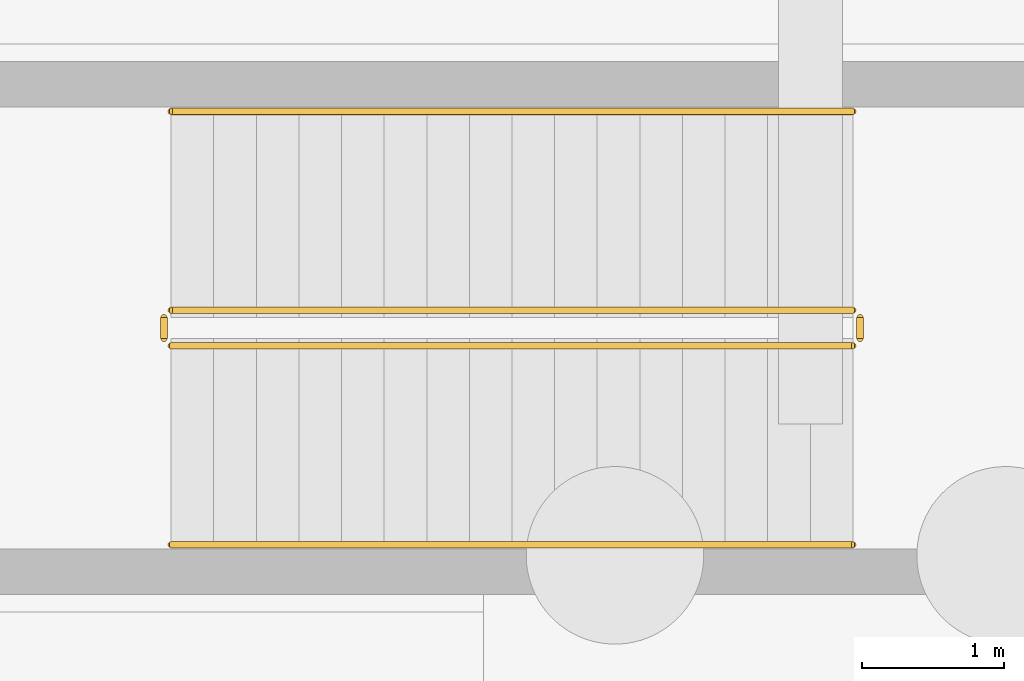
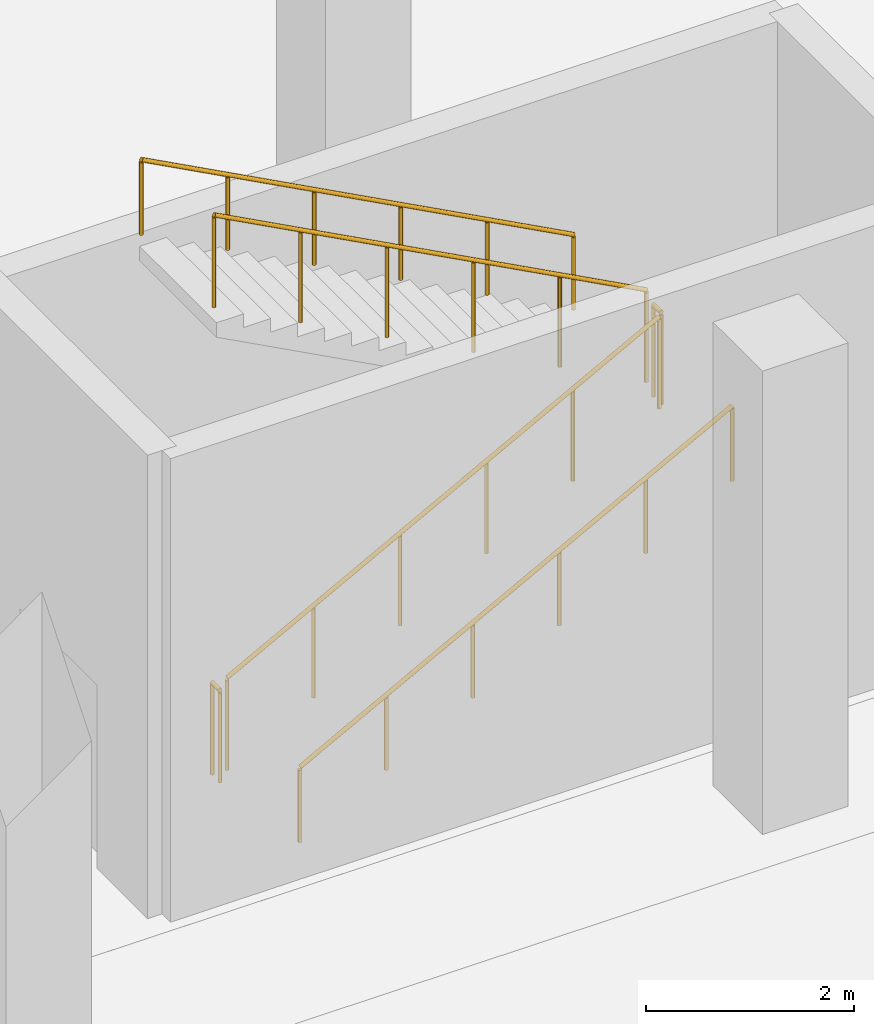
# One storey, part 81 of 83: 6 railings.
"""IFC4 building model written with IfcOpenShell, lengths in metres."""

from ifc_helpers import new_model, si_unit, direction, frame, origin, origin_2d, place, context, subcontext, project, spatial, circle, extrude, material, type_object, element, save


model = new_model("IFC4")

# Units and contexts
model_context = context("Model", 3, precision=1e-05, world=origin(), true_north=direction((0.0, 1.0)))
body_context = subcontext(model_context, "Body", "Model", "MODEL_VIEW")
ifc_project = project(units=[si_unit("LENGTHUNIT", "METRE"), si_unit("AREAUNIT", "SQUARE_METRE"), si_unit("VOLUMEUNIT", "CUBIC_METRE"), si_unit("PLANEANGLEUNIT", "RADIAN"), si_unit("MASSUNIT", "GRAM", prefix="KILO"), si_unit("THERMODYNAMICTEMPERATUREUNIT", "KELVIN"), si_unit("POWERUNIT", "WATT")], contexts=[model_context])

# Site, building, storey
site_placement = place(None, origin())
site = spatial("IfcSite", under=ifc_project, at=site_placement, CompositionType="ELEMENT")
building_placement = place(site_placement, origin())
building = spatial("IfcBuilding", under=site, at=building_placement, Name="Mavoryth Pier Ferry Terminal", CompositionType="ELEMENT")
storey_placement = place(building_placement, origin())
storey = spatial("IfcBuildingStorey", under=building, at=storey_placement, Name="L00", CompositionType="ELEMENT", Elevation=0.0)

# Railings
ifc_material_1 = material(Name="Painted Galvanised Steel Balustrade", Category="steel")
railing_type_1 = type_object("IfcRailingType", Name="Guard-Stair-Steel1100", PredefinedType="GUARDRAIL", material=ifc_material_1)
railing_1_placement = place(storey_placement, frame((129.89990234375, 58.449951171875, 0.159912109375)))
element("IfcRailing", 1, at=railing_1_placement, inside=storey, type_object=railing_type_1, Name="L00 ST10 stair guard 1", PredefinedType="GUARDRAIL", context=body_context, shape_type="SweptSolid", body=[
    extrude(circle(Radius=0.02392578125, at=origin_2d()), frame((0.0, 0.0, 1.076171875), z_axis=(0.882350456557, 0.0, 0.470592893925), x_axis=(0.0, 1.0, 0.0)), (0.0, 0.0, 1.0), 5.440185546875),
    extrude(circle(Radius=0.02099609375, at=origin_2d()), origin(), (0.0, 0.0, 1.0), 1.052001953125),
    extrude(circle(Radius=0.02099609375, at=origin_2d()), frame((0.9599609375, 0.0, 0.511962890625)), (0.0, 0.0, 1.0), 1.052001953125),
    extrude(circle(Radius=0.02099609375, at=origin_2d()), frame((1.919921875, 0.0, 1.02392578125)), (0.0, 0.0, 1.0), 1.052001953125),
    extrude(circle(Radius=0.02099609375, at=origin_2d()), frame((2.880126953125, 0.0, 1.5361328125)), (0.0, 0.0, 1.0), 1.052001953125),
    extrude(circle(Radius=0.02099609375, at=origin_2d()), frame((3.840087890625, 0.0, 2.048095703125)), (0.0, 0.0, 1.0), 1.052001953125),
    extrude(circle(Radius=0.02099609375, at=origin_2d()), frame((4.800048828125, 0.0, 2.56005859375)), (0.0, 0.0, 1.0), 1.052001953125),
])
railing_2_placement = place(storey_placement, frame((134.75, 58.5, 2.719970703125)))
element("IfcRailing", 2, at=railing_2_placement, inside=storey, type_object=railing_type_1, Name="L00 ST10 stair guard 2", PredefinedType="GUARDRAIL", context=body_context, shape_type="SweptSolid", body=[
    extrude(circle(Radius=0.02392578125, at=origin_2d()), frame((0.0, 0.0, 1.076171875), z_axis=(0.0, 1.0, 0.0), x_axis=(-1.0, 0.0, 0.0)), (0.0, 0.0, 1.0), 0.14990234375),
    extrude(circle(Radius=0.02099609375, at=origin_2d()), origin(), (0.0, 0.0, 1.0), 1.052001953125),
    extrude(circle(Radius=0.02099609375, at=origin_2d()), frame((0.0, 0.14990234375, 0.0)), (0.0, 0.0, 1.0), 1.052001953125),
])
railing_3_placement = place(storey_placement, frame((134.699951171875, 58.699951171875, 2.8798828125)))
element("IfcRailing", 3, at=railing_3_placement, inside=storey, type_object=railing_type_1, Name="L00 ST10 stair guard 3", PredefinedType="GUARDRAIL", context=body_context, shape_type="SweptSolid", body=[
    extrude(circle(Radius=0.02392578125, at=origin_2d()), frame((0.0, 0.0, 1.076171875), z_axis=(-0.882350456557, 0.0, 0.470592893925), x_axis=(0.0, -1.0, 0.0)), (0.0, 0.0, 1.0), 5.440185546875),
    extrude(circle(Radius=0.02099609375, at=origin_2d()), origin(), (0.0, 0.0, 1.0), 1.052001953125),
    extrude(circle(Radius=0.02099609375, at=origin_2d()), frame((-0.9599609375, 0.0, 0.511962890625)), (0.0, 0.0, 1.0), 1.052001953125),
    extrude(circle(Radius=0.02099609375, at=origin_2d()), frame((-1.919921875, 0.0, 1.02392578125)), (0.0, 0.0, 1.0), 1.052001953125),
    extrude(circle(Radius=0.02099609375, at=origin_2d()), frame((-2.880126953125, 0.0, 1.5361328125)), (0.0, 0.0, 1.0), 1.052001953125),
    extrude(circle(Radius=0.02099609375, at=origin_2d()), frame((-3.840087890625, 0.0, 2.048095703125)), (0.0, 0.0, 1.0), 1.052001953125),
    extrude(circle(Radius=0.02099609375, at=origin_2d()), frame((-4.800048828125, 0.0, 2.56005859375)), (0.0, 0.0, 1.0), 1.052001953125),
])
railing_4_placement = place(storey_placement, frame((129.85009765625, 58.5, 0.0)))
element("IfcRailing", 4, at=railing_4_placement, inside=storey, type_object=railing_type_1, Name="L00 ST10 stair guard 4", PredefinedType="GUARDRAIL", context=body_context, shape_type="SweptSolid", body=[
    extrude(circle(Radius=0.02392578125, at=origin_2d()), frame((0.0, 0.0, 1.076171875), z_axis=(0.0, 1.0, 0.0), x_axis=(-1.0, 0.0, 0.0)), (0.0, 0.0, 1.0), 0.14990234375),
    extrude(circle(Radius=0.02099609375, at=origin_2d()), origin(), (0.0, 0.0, 1.0), 1.052001953125),
    extrude(circle(Radius=0.02099609375, at=origin_2d()), frame((0.0, 0.14990234375, 0.0)), (0.0, 0.0, 1.0), 1.052001953125),
])
ifc_material_2 = material(Name="Brushed Stainless Steel Tubular Handrail", Category="steel")
railing_type_2 = type_object("IfcRailingType", Name="Handrail-Stair-SS900", PredefinedType="HANDRAIL", material=ifc_material_2)
railing_5_placement = place(storey_placement, frame((129.89990234375, 57.050048828125, 0.159912109375)))
element("IfcRailing", 5, at=railing_5_placement, inside=storey, type_object=railing_type_2, Name="L00 ST10 stair handrail 1", PredefinedType="HANDRAIL", context=body_context, shape_type="SweptSolid", body=[
    extrude(circle(Radius=0.02392578125, at=origin_2d()), frame((0.0, 0.0, 0.8759765625), z_axis=(0.882350456557, 0.0, 0.470592893925), x_axis=(0.0, 1.0, 0.0)), (0.0, 0.0, 1.0), 5.440185546875),
    extrude(circle(Radius=0.02099609375, at=origin_2d()), origin(), (0.0, 0.0, 1.0), 0.851806640625),
    extrude(circle(Radius=0.02099609375, at=origin_2d()), frame((0.9599609375, 0.0, 0.511962890625)), (0.0, 0.0, 1.0), 0.851806640625),
    extrude(circle(Radius=0.02099609375, at=origin_2d()), frame((1.919921875, 0.0, 1.02392578125)), (0.0, 0.0, 1.0), 0.851806640625),
    extrude(circle(Radius=0.02099609375, at=origin_2d()), frame((2.880126953125, 0.0, 1.5361328125)), (0.0, 0.0, 1.0), 0.851806640625),
    extrude(circle(Radius=0.02099609375, at=origin_2d()), frame((3.840087890625, 0.0, 2.048095703125)), (0.0, 0.0, 1.0), 0.851806640625),
    extrude(circle(Radius=0.02099609375, at=origin_2d()), frame((4.800048828125, 0.0, 2.56005859375)), (0.0, 0.0, 1.0), 0.851806640625),
])
railing_6_placement = place(storey_placement, frame((134.699951171875, 60.10009765625, 2.8798828125)))
element("IfcRailing", 6, at=railing_6_placement, inside=storey, type_object=railing_type_2, Name="L00 ST10 stair handrail 2", PredefinedType="HANDRAIL", context=body_context, shape_type="SweptSolid", body=[
    extrude(circle(Radius=0.02392578125, at=origin_2d()), frame((0.0, 0.0, 0.8759765625), z_axis=(-0.882350456557, 0.0, 0.470592893925), x_axis=(0.0, -1.0, 0.0)), (0.0, 0.0, 1.0), 5.440185546875),
    extrude(circle(Radius=0.02099609375, at=origin_2d()), origin(), (0.0, 0.0, 1.0), 0.851806640625),
    extrude(circle(Radius=0.02099609375, at=origin_2d()), frame((-0.9599609375, 0.0, 0.511962890625)), (0.0, 0.0, 1.0), 0.851806640625),
    extrude(circle(Radius=0.02099609375, at=origin_2d()), frame((-1.919921875, 0.0, 1.02392578125)), (0.0, 0.0, 1.0), 0.851806640625),
    extrude(circle(Radius=0.02099609375, at=origin_2d()), frame((-2.880126953125, 0.0, 1.5361328125)), (0.0, 0.0, 1.0), 0.851806640625),
    extrude(circle(Radius=0.02099609375, at=origin_2d()), frame((-3.840087890625, 0.0, 2.048095703125)), (0.0, 0.0, 1.0), 0.851806640625),
    extrude(circle(Radius=0.02099609375, at=origin_2d()), frame((-4.800048828125, 0.0, 2.56005859375)), (0.0, 0.0, 1.0), 0.851806640625),
])

save(model, "model.ifc")
